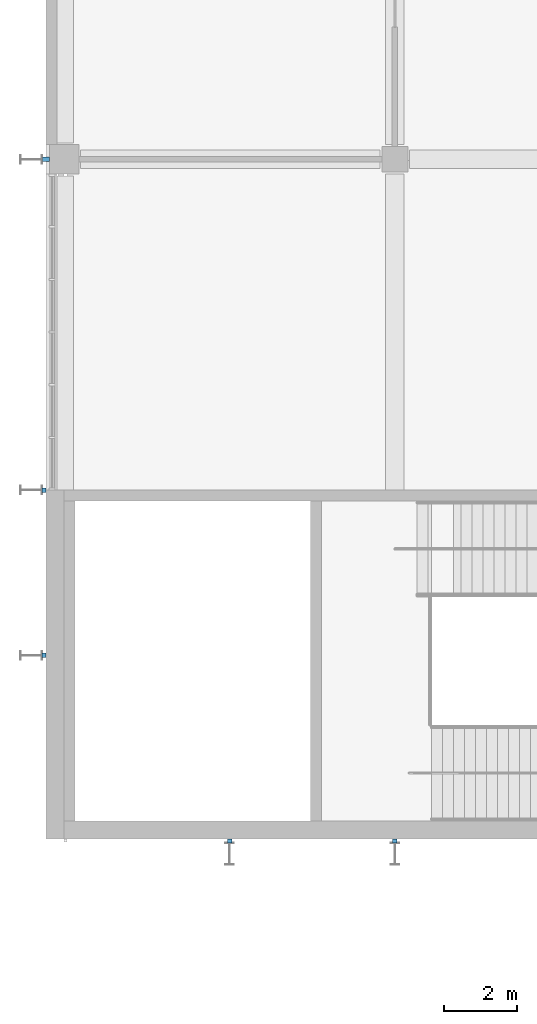
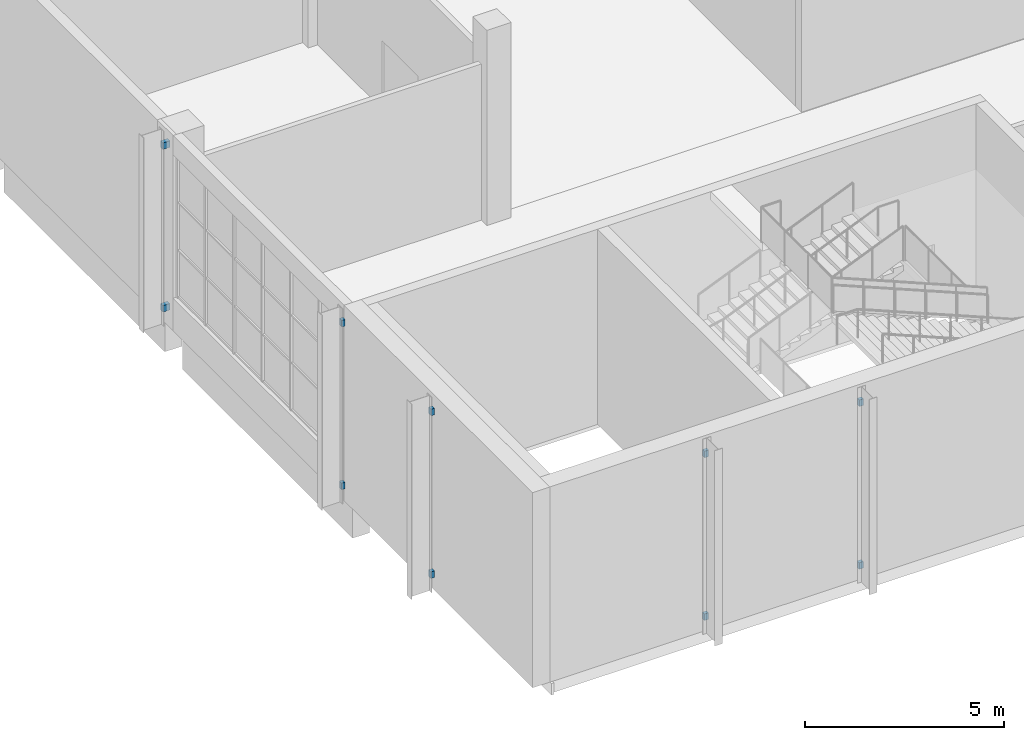
# One storey, part 53 of 89: 10 discrete accessories.
"""IFC4 building model written with IfcOpenShell, lengths in metres."""

import ifcopenshell
import ifcopenshell.guid

model = None  # the IFC model being written
_history = None  # IfcOwnerHistory: only IFC2X3 demands one
_inside = {}  # id of a spatial element -> (the spatial element, [elements in it])
_under = {}  # id of a project, library or spatial element -> (it, [spatial elements below it])
_declared = {}  # id of a project -> (the project, [libraries it declares])
_typed = {}  # id of a type object -> (the type object, [elements of that type])
_made_of = {}  # id of a material, layer set ... -> (it, [elements and type objects made of it])


def new_model(schema):
    """Start an empty IFC model of exactly this schema.

    Asked for "IFC4X3", IfcOpenShell would pick the latest addendum, in which some entities
    have other attributes; the version numbers below select the first issue.
    IFC2X3 requires an IfcOwnerHistory on every rooted entity: one is made here for all.
    """
    global model, _history
    if schema == "IFC4X3":
        model = ifcopenshell.file(schema_version=(4, 3, 0, 0))
    else:
        model = ifcopenshell.file(schema=schema)
    _inside.clear()
    _under.clear()
    _declared.clear()
    _typed.clear()
    _made_of.clear()
    _history = None
    if model.schema == "IFC2X3":
        org = make("IfcOrganization", Name="unknown")
        user = make(
            "IfcPersonAndOrganization",
            ThePerson=make("IfcPerson", FamilyName="unknown"),
            TheOrganization=org,
        )
        app = make(
            "IfcApplication",
            ApplicationDeveloper=org,
            Version="unknown",
            ApplicationFullName="unknown",
            ApplicationIdentifier="unknown",
        )
        _history = make(
            "IfcOwnerHistory",
            OwningUser=user,
            OwningApplication=app,
            ChangeAction="ADDED",
            CreationDate=0,
        )
    return model


def make(cls, **values):
    """One entity of the class cls with the attributes given. An attribute that is None is left unset."""
    return model.create_entity(
        cls, **{name: value for name, value in values.items() if value is not None}
    )


def rooted(cls, **values):
    """An entity with a GlobalId (a new one), such as an element, a storey or a relation."""
    return make(cls, GlobalId=ifcopenshell.guid.new(), OwnerHistory=_history, **values)


def si_unit(unit_type, name, prefix=None):
    """IfcSIUnit, for example si_unit("LENGTHUNIT", "METRE", prefix="MILLI")."""
    return make("IfcSIUnit", UnitType=unit_type, Prefix=prefix, Name=name)


def assignment(units):
    """IfcUnitAssignment: the units of a project."""
    return None if units is None else make("IfcUnitAssignment", Units=units)


def point(xyz):
    """IfcCartesianPoint."""
    return None if xyz is None else make("IfcCartesianPoint", Coordinates=xyz)


def direction(xyz):
    """IfcDirection."""
    return None if xyz is None else make("IfcDirection", DirectionRatios=xyz)


def frame(location, z_axis=None, x_axis=None):
    """IfcAxis2Placement3D, a coordinate frame: its origin and axes. An axis left out is left unset."""
    return make(
        "IfcAxis2Placement3D",
        Location=point(location),
        Axis=direction(z_axis),
        RefDirection=direction(x_axis),
    )


def frame_2d(location, x_axis=None):
    """IfcAxis2Placement2D, a coordinate frame in the plane: its origin and x axis."""
    return make(
        "IfcAxis2Placement2D", Location=point(location), RefDirection=direction(x_axis)
    )


def origin():
    """The frame at (0, 0, 0) with its axes left unset."""
    return frame((0.0, 0.0, 0.0))


def origin_2d():
    """The frame at (0, 0) in the plane with its x axis left unset."""
    return frame_2d((0.0, 0.0))


def place(relative_to, where):
    """IfcLocalPlacement: puts the frame where relative to a parent placement (None: the world)."""
    return make(
        "IfcLocalPlacement", PlacementRelTo=relative_to, RelativePlacement=where
    )


def context(
    kind, dimensions, precision=None, world=None, true_north=None, identifier=None
):
    """IfcGeometricRepresentationContext, for example the 3D "Model" context."""
    return make(
        "IfcGeometricRepresentationContext",
        ContextIdentifier=identifier,
        ContextType=kind,
        CoordinateSpaceDimension=dimensions,
        Precision=precision,
        WorldCoordinateSystem=world,
        TrueNorth=true_north,
    )


def subcontext(parent, identifier, kind, view, scale=None):
    """IfcGeometricRepresentationSubContext, for example "Body" below "Model"."""
    return make(
        "IfcGeometricRepresentationSubContext",
        ContextIdentifier=identifier,
        ContextType=kind,
        ParentContext=parent,
        TargetScale=scale,
        TargetView=view,
    )


def project(units=None, contexts=None):
    """IfcProject with its units and contexts."""
    return rooted(
        "IfcProject",
        Name="project",
        RepresentationContexts=contexts,
        UnitsInContext=assignment(units),
    )


def spatial(cls, under=None, at=None, **own):
    """A site, building, storey or space (cls), placed at a placement, below another one or the project."""
    s = rooted(cls, ObjectPlacement=at, **own)
    if under is not None:
        _under.setdefault(under.id(), (under, []))[1].append(s)
    return s


def profile(cls, at=None, kind="AREA", **sizes):
    """A parametric profile (cls). Its sizes go by their IFC names, for example OverallWidth=200.0."""
    return make(cls, ProfileType=kind, Position=at, **sizes)


def rectangle(**sizes):
    """IfcRectangleProfileDef."""
    return profile("IfcRectangleProfileDef", **sizes)


def extrude(swept, where, along, depth):
    """IfcExtrudedAreaSolid: the profile swept, set in the frame where, extruded along a direction by depth."""
    return make(
        "IfcExtrudedAreaSolid",
        SweptArea=swept,
        Position=where,
        ExtrudedDirection=direction(along),
        Depth=depth,
    )


def shape(context_of_items, identifier, shape_type, items):
    """IfcShapeRepresentation: the items that make up one representation, for example the "Body"."""
    return make(
        "IfcShapeRepresentation",
        ContextOfItems=context_of_items,
        RepresentationIdentifier=identifier,
        RepresentationType=shape_type,
        Items=items,
    )


def material(Name=None, Category=None):
    """IfcMaterial."""
    return make("IfcMaterial", Name=Name, Category=Category)


def made_of(thing, what):
    """Note that an element or type object is made of a material, layer set ...; save() writes the relation."""
    if what is not None:
        _made_of.setdefault(what.id(), (what, []))[1].append(thing)
    return thing


def type_object(cls, material=None, **own):
    """A type object (cls), such as IfcWallType, which elements share."""
    return made_of(rooted(cls, **own), material)


def element(
    cls,
    number,
    at=None,
    inside=None,
    cuts=None,
    type_object=None,
    material=None,
    context=None,
    identifier="Body",
    shape_type=None,
    held_by="IfcProductDefinitionShape",
    body=None,
    shapes=None,
    **own,
):
    """One element of the class cls, such as IfcWall. Its Tag is "e" and its number.

    at: its placement. inside: the storey or other place that contains it. cuts: it is an
    opening in that element (IfcRelVoidsElement). A single representation is given by context,
    identifier, shape_type and body (its items); several are given by shapes. held_by: the class
    of the entity that holds the representations. save() writes the other relations.
    """
    e = rooted(cls, Tag="e%d" % number, ObjectPlacement=at, **own)
    if body is not None:
        shapes = [shape(context, identifier, shape_type, body)]
    if shapes is not None:
        e.Representation = make(held_by, Representations=shapes)
    if inside is not None:
        _inside.setdefault(inside.id(), (inside, []))[1].append(e)
    if cuts is not None:
        rooted(
            "IfcRelVoidsElement", RelatingBuildingElement=cuts, RelatedOpeningElement=e
        )
    if type_object is not None:
        _typed.setdefault(type_object.id(), (type_object, []))[1].append(e)
    return made_of(e, material)


def aggregate(whole, parts):
    """IfcRelAggregates: a whole, such as a stair, and the parts it consists of."""
    return rooted("IfcRelAggregates", RelatingObject=whole, RelatedObjects=parts)


def save(model, path):
    """Write the relations noted so far, then the file.

    IfcRelAggregates (storeys below a building ...), IfcRelContainedInSpatialStructure (elements
    in a storey), IfcRelDefinesByType, IfcRelAssociatesMaterial and IfcRelDeclares: one each for
    every whole, place, type object, material and project.
    """
    for whole, parts in _under.values():
        aggregate(whole, parts)
    for where, things in _inside.values():
        rooted(
            "IfcRelContainedInSpatialStructure",
            RelatedElements=things,
            RelatingStructure=where,
        )
    for kind, things in _typed.values():
        rooted("IfcRelDefinesByType", RelatedObjects=things, RelatingType=kind)
    for what, things in _made_of.values():
        rooted("IfcRelAssociatesMaterial", RelatedObjects=things, RelatingMaterial=what)
    for by, libraries in _declared.values():
        rooted("IfcRelDeclares", RelatingContext=by, RelatedDefinitions=libraries)
    model.write(path)


model = new_model("IFC4")

# Units and contexts
model_context = context("Model", 3, precision=1e-05, world=origin(), true_north=direction((0.0, 1.0)))
body_context = subcontext(model_context, "Body", "Model", "MODEL_VIEW")
ifc_project = project(units=[si_unit("LENGTHUNIT", "METRE"), si_unit("AREAUNIT", "SQUARE_METRE"), si_unit("VOLUMEUNIT", "CUBIC_METRE"), si_unit("PLANEANGLEUNIT", "RADIAN"), si_unit("MASSUNIT", "GRAM", prefix="KILO")], contexts=[model_context])

# Site, building, storey
site_placement = place(None, origin())
site = spatial("IfcSite", under=ifc_project, at=site_placement, CompositionType="ELEMENT")
building_placement = place(site_placement, origin())
building = spatial("IfcBuilding", under=site, at=building_placement, Name="Silverbay Arena", CompositionType="ELEMENT")
storey_placement = place(building_placement, frame((0.0, 0.0, 22.0)))
storey = spatial("IfcBuildingStorey", under=building, at=storey_placement, Name="L03", CompositionType="ELEMENT", Elevation=22.0)

# Discrete accessories
ifc_material = material(Name="Steel S355", Category="steel")
discrete_accessory_type = type_object("IfcDiscreteAccessoryType", Name="Steel bracket plate", PredefinedType="BRACKET", material=ifc_material)
for number, where, z_axis, x_axis, name in (
    (1, (58.5, 17.449951171875, 0.39990234375), (0.0, 0.0, 1.0), (1.0, 0.0, 0.0), "Fin bracket"),
    (2, (58.5, 17.449951171875, 5.39990234375), (0.0, 0.0, 1.0), (1.0, 0.0, 0.0), "Fin bracket"),
    (3, (63.0, 17.449951171875, 0.39990234375), (0.0, 0.0, 1.0), (1.0, 0.0, 0.0), "Fin bracket"),
    (4, (63.0, 17.449951171875, 5.39990234375), (0.0, 0.0, 1.0), (1.0, 0.0, 0.0), "Fin bracket"),
):
    element("IfcDiscreteAccessory", number, at=place(storey_placement, frame(where, z_axis=z_axis, x_axis=x_axis)), inside=storey, type_object=discrete_accessory_type, Name=name, PredefinedType="BRACKET", context=body_context, shape_type="SweptSolid", body=[
        extrude(rectangle(XDim=0.1201171875, YDim=0.10009765625, at=origin_2d()), origin(), (0.0, 0.0, 1.0), 0.199951171875),
    ])
for number, where, z_axis, x_axis, name in (
    (5, (53.449951171875, 22.5, 0.39990234375), (0.0, 0.0, 1.0), (1.0, 0.0, 0.0), "Fin bracket"),
    (6, (53.449951171875, 22.5, 5.39990234375), (0.0, 0.0, 1.0), (1.0, 0.0, 0.0), "Fin bracket"),
    (7, (53.449951171875, 27.0, 0.39990234375), (0.0, 0.0, 1.0), (1.0, 0.0, 0.0), "Fin bracket"),
    (8, (53.449951171875, 27.0, 5.39990234375), (0.0, 0.0, 1.0), (1.0, 0.0, 0.0), "Fin bracket"),
):
    element("IfcDiscreteAccessory", number, at=place(storey_placement, frame(where, z_axis=z_axis, x_axis=x_axis)), inside=storey, type_object=discrete_accessory_type, Name=name, PredefinedType="BRACKET", context=body_context, shape_type="SweptSolid", body=[
        extrude(rectangle(XDim=0.10009765625, YDim=0.1201171875, at=origin_2d()), origin(), (0.0, 0.0, 1.0), 0.199951171875),
    ])
for number, where, z_axis, x_axis, name in (
    (9, (53.5, 36.0, 0.39990234375), (0.0, 0.0, 1.0), (1.0, 0.0, 0.0), "Fin bracket"),
    (10, (53.5, 36.0, 5.39990234375), (0.0, 0.0, 1.0), (1.0, 0.0, 0.0), "Fin bracket"),
):
    element("IfcDiscreteAccessory", number, at=place(storey_placement, frame(where, z_axis=z_axis, x_axis=x_axis)), inside=storey, type_object=discrete_accessory_type, Name=name, PredefinedType="BRACKET", context=body_context, shape_type="SweptSolid", body=[
        extrude(rectangle(XDim=0.199951171875, YDim=0.1201171875, at=origin_2d()), origin(), (0.0, 0.0, 1.0), 0.199951171875),
    ])

save(model, "model.ifc")
